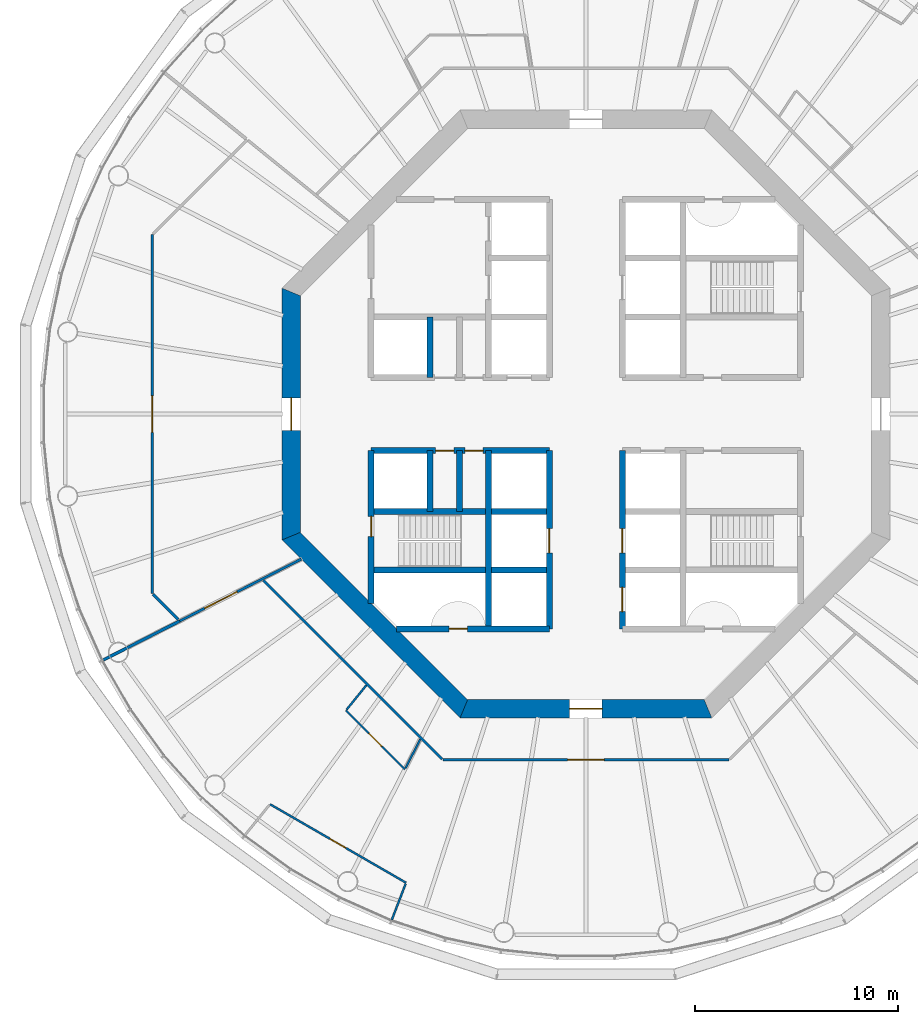
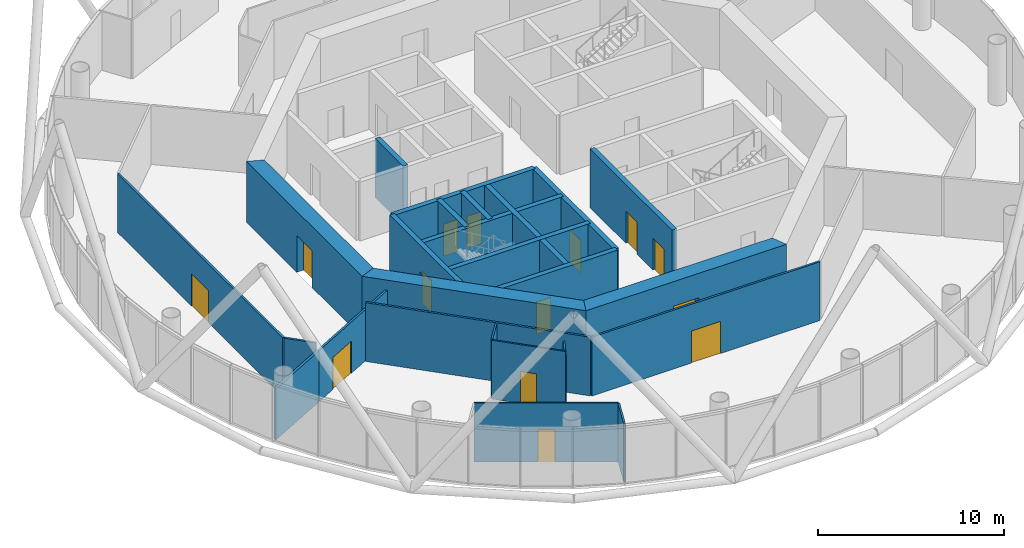
# One storey, part 3 of 12: 25 walls, 14 doors, 14 openings.
"""IFC4 building model written with IfcOpenShell, lengths in metres."""

from ifc_helpers import new_model, si_unit, direction, frame, frame_2d, origin, place, context, subcontext, project, spatial, polyline, rectangle, outline, extrude, material, layer, layer_set, type_object, element, fill, save


model = new_model("IFC4")

# Units and contexts
model_context = context("Model", 3, precision=1e-05, world=origin(), true_north=direction((0.0, 1.0)))
body_context = subcontext(model_context, "Body", "Model", "MODEL_VIEW")
ifc_project = project(units=[si_unit("LENGTHUNIT", "METRE"), si_unit("AREAUNIT", "SQUARE_METRE"), si_unit("VOLUMEUNIT", "CUBIC_METRE"), si_unit("PLANEANGLEUNIT", "RADIAN"), si_unit("MASSUNIT", "GRAM", prefix="KILO")], contexts=[model_context])

# Site, building, storey
site_placement = place(None, origin())
site = spatial("IfcSite", under=ifc_project, at=site_placement, CompositionType="ELEMENT")
building_placement = place(site_placement, origin())
building = spatial("IfcBuilding", under=site, at=building_placement, Name="Entoto Ring Tower", CompositionType="ELEMENT")
storey_placement = place(building_placement, frame((0.0, 0.0, 206.0)))
storey = spatial("IfcBuildingStorey", under=building, at=storey_placement, Name="L47", CompositionType="ELEMENT", Elevation=206.0)

# Wall, openings, doors
ifc_material_1 = material(Name="Concrete C40/50", Category="concrete")
ifc_layer_1 = layer(ifc_material_1, 0.300048828125)
ifc_layer_set_1 = layer_set([ifc_layer_1], Name="Concrete C40/50")
wall_type_1 = type_object("IfcWallType", Name="Core enclosure wall 300 mm reinforced concrete", PredefinedType="SOLIDWALL", material=ifc_layer_set_1)
wall_1_placement = place(storey_placement, frame((91.800048828125, 69.39990234375, 0.0), z_axis=(0.0, 0.0, 1.0), x_axis=(0.0, 1.0, 0.0)))
wall_1 = element("IfcWall", 1, at=wall_1_placement, inside=storey, type_object=wall_type_1, Name="wall-L47-005", PredefinedType="SOLIDWALL", context=body_context, shape_type="SweptSolid", body=[
    extrude(rectangle(XDim=8.800048828125, YDim=0.300048828125, at=frame_2d((4.39990234375, 0.0))), origin(), (0.0, 0.0, 1.0), 3.85009765625),
])
opening_1_placement = place(wall_1_placement, frame((3.75, 0.0, 0.0)))
opening_1 = element("IfcOpeningElement", 2, at=opening_1_placement, cuts=wall_1, Name="Opening LD", PredefinedType="OPENING", context=body_context, shape_type="SweptSolid", body=[
    extrude(rectangle(XDim=1.199951171875, YDim=2.10009765625, at=frame_2d((0.60009765625, 1.050048828125))), frame((0.0, 0.16015625, 0.0), z_axis=(0.0, -1.0, 0.0), x_axis=(1.0, 0.0, 0.0)), (0.0, 0.0, 1.0), 0.320068359375),
])
opening_2_placement = place(wall_1_placement, frame((0.85009765625, 0.0, 0.0)))
opening_2 = element("IfcOpeningElement", 3, at=opening_2_placement, cuts=wall_1, Name="Opening LD", PredefinedType="OPENING", context=body_context, shape_type="SweptSolid", body=[
    extrude(rectangle(XDim=1.199951171875, YDim=2.10009765625, at=frame_2d((0.60009765625, 1.050048828125))), frame((0.0, 0.16015625, 0.0), z_axis=(0.0, -1.0, 0.0), x_axis=(1.0, 0.0, 0.0)), (0.0, 0.0, 1.0), 0.320068359375),
])
ifc_material_2 = material(Name="Steel and glass door leaf", Category="steel")
ifc_layer_2 = layer(ifc_material_2, 0.050048828125)
ifc_layer_set_2 = layer_set([ifc_layer_2], Name="Steel and glass door leaf")
door_type_1 = type_object("IfcDoorType", Name="Landing door 1200 x 2100 sliding", OperationType="DOUBLE_DOOR_SLIDING", PredefinedType="DOOR", material=ifc_layer_set_2)
door_1_placement = place(opening_1_placement, origin())
door_1 = element("IfcDoor", 4, at=door_1_placement, inside=storey, type_object=door_type_1, Name="Landing door LB2-MR", OperationType="SLIDING_TO_RIGHT", OverallHeight=2.10009765625, OverallWidth=1.199951171875, PredefinedType="DOOR", context=body_context, shape_type="SweptSolid", body=[
    extrude(rectangle(XDim=1.199951171875, YDim=2.10009765625, at=frame_2d((0.60009765625, 1.050048828125))), frame((0.0, 0.02490234375, 0.0), z_axis=(0.0, -1.0, 0.0), x_axis=(1.0, 0.0, 0.0)), (0.0, 0.0, 1.0), 0.050048828125),
])
fill(opening_1, door_1)
door_2_placement = place(opening_2_placement, origin())
door_2 = element("IfcDoor", 5, at=door_2_placement, inside=storey, type_object=door_type_1, Name="Landing door LB3-MR", OperationType="SLIDING_TO_RIGHT", OverallHeight=2.10009765625, OverallWidth=1.199951171875, PredefinedType="DOOR", context=body_context, shape_type="SweptSolid", body=[
    extrude(rectangle(XDim=1.199951171875, YDim=2.10009765625, at=frame_2d((0.60009765625, 1.050048828125))), frame((0.0, 0.02490234375, 0.0), z_axis=(0.0, -1.0, 0.0), x_axis=(1.0, 0.0, 0.0)), (0.0, 0.0, 1.0), 0.050048828125),
])
fill(opening_2, door_2)

# Wall, opening, door
wall_2_placement = place(storey_placement, frame((88.199951171875, 69.39990234375, 0.0), z_axis=(0.0, 0.0, 1.0), x_axis=(0.0, 1.0, 0.0)))
wall_2 = element("IfcWall", 6, at=wall_2_placement, inside=storey, type_object=wall_type_1, Name="wall-L47-007", PredefinedType="SOLIDWALL", context=body_context, shape_type="SweptSolid", body=[
    extrude(rectangle(XDim=8.800048828125, YDim=0.300048828125, at=frame_2d((4.39990234375, 0.0))), origin(), (0.0, 0.0, 1.0), 3.85009765625),
])
opening_3_placement = place(wall_2_placement, frame((3.75, 0.0, 0.0)))
opening_3 = element("IfcOpeningElement", 7, at=opening_3_placement, cuts=wall_2, Name="Opening LD", PredefinedType="OPENING", context=body_context, shape_type="SweptSolid", body=[
    extrude(rectangle(XDim=1.199951171875, YDim=2.10009765625, at=frame_2d((0.60009765625, 1.050048828125))), frame((0.0, 0.16015625, 0.0), z_axis=(0.0, -1.0, 0.0), x_axis=(1.0, 0.0, 0.0)), (0.0, 0.0, 1.0), 0.320068359375),
])
door_3_placement = place(opening_3_placement, origin())
door_3 = element("IfcDoor", 8, at=door_3_placement, inside=storey, type_object=door_type_1, Name="Landing door LB4-MR", OperationType="SLIDING_TO_RIGHT", OverallHeight=2.10009765625, OverallWidth=1.199951171875, PredefinedType="DOOR", context=body_context, shape_type="SweptSolid", body=[
    extrude(rectangle(XDim=1.199951171875, YDim=2.10009765625, at=frame_2d((0.60009765625, 1.050048828125))), frame((0.0, 0.02490234375, 0.0), z_axis=(0.0, -1.0, 0.0), x_axis=(1.0, 0.0, 0.0)), (0.0, 0.0, 1.0), 0.050048828125),
])
fill(opening_3, door_3)

# Walls
wall_3_placement = place(storey_placement, frame((85.199951171875, 69.39990234375, 0.0), z_axis=(0.0, 0.0, 1.0), x_axis=(0.0, 1.0, 0.0)))
element("IfcWall", 9, at=wall_3_placement, inside=storey, type_object=wall_type_1, Name="wall-L47-009", PredefinedType="SOLIDWALL", context=body_context, shape_type="SweptSolid", body=[
    extrude(rectangle(XDim=8.800048828125, YDim=0.300048828125, at=frame_2d((4.39990234375, 0.0))), origin(), (0.0, 0.0, 1.0), 3.85009765625),
])
for number, where, z_axis, x_axis, name in (
    (10, (83.75, 75.199951171875, 0.0), (0.0, 0.0, 1.0), (0.0, 1.0, 0.0), "wall-L47-011"),
    (11, (82.300048828125, 75.199951171875, 0.0), (0.0, 0.0, 1.0), (0.0, 1.0, 0.0), "wall-L47-013"),
    (12, (82.300048828125, 81.800048828125, 0.0), (0.0, 0.0, 1.0), (0.0, 1.0, 0.0), "wall-L47-014"),
):
    element("IfcWall", number, at=place(storey_placement, frame(where, z_axis=z_axis, x_axis=x_axis)), inside=storey, type_object=wall_type_1, Name=name, PredefinedType="SOLIDWALL", context=body_context, shape_type="SweptSolid", body=[
        extrude(rectangle(XDim=3.0, YDim=0.300048828125, at=frame_2d((1.5, 0.0))), origin(), (0.0, 0.0, 1.0), 3.85009765625),
    ])

# Wall, opening, door
wall_4_placement = place(storey_placement, frame((79.39990234375, 70.65966796875, 0.0), z_axis=(0.0, 0.0, 1.0), x_axis=(0.0, 1.0, 0.0)))
wall_4 = element("IfcWall", 13, at=wall_4_placement, inside=storey, type_object=wall_type_1, Name="wall-L47-015", PredefinedType="SOLIDWALL", context=body_context, shape_type="SweptSolid", body=[
    extrude(rectangle(XDim=7.540283203125, YDim=0.300048828125, at=frame_2d((3.77001953125, 0.0))), origin(), (0.0, 0.0, 1.0), 3.85009765625),
])
opening_4_placement = place(wall_4_placement, frame((3.290283203125, 0.0, 0.0)))
opening_4 = element("IfcOpeningElement", 14, at=opening_4_placement, cuts=wall_4, Name="Opening K-59", PredefinedType="OPENING", context=body_context, shape_type="SweptSolid", body=[
    extrude(rectangle(XDim=1.0, YDim=2.10009765625, at=frame_2d((0.5, 1.050048828125))), frame((0.0, 0.16015625, 0.0), z_axis=(0.0, -1.0, 0.0), x_axis=(1.0, 0.0, 0.0)), (0.0, 0.0, 1.0), 0.320068359375),
])
ifc_material_3 = material(Name="Steel door leaf, fire rated", Category="steel")
ifc_layer_3 = layer(ifc_material_3, 0.050048828125)
ifc_layer_set_3 = layer_set([ifc_layer_3], Name="Steel door leaf, fire rated")
door_type_2 = type_object("IfcDoorType", Name="Fire door FD60 1000 x 2100 single leaf", OperationType="NOTDEFINED", PredefinedType="DOOR", material=ifc_layer_set_3)
door_4_placement = place(opening_4_placement, frame((1.0, 0.0, 0.0), z_axis=(0.0, 0.0, 1.0), x_axis=(-1.0, 0.0, 0.0)))
door_4 = element("IfcDoor", 15, at=door_4_placement, inside=storey, type_object=door_type_2, Name="Door K-59", OperationType="SINGLE_SWING_LEFT", OverallHeight=2.10009765625, OverallWidth=1.0, PredefinedType="DOOR", context=body_context, shape_type="SweptSolid", body=[
    extrude(rectangle(XDim=1.0, YDim=2.10009765625, at=frame_2d((0.5, 1.050048828125))), frame((0.0, 0.02490234375, 0.0), z_axis=(0.0, -1.0, 0.0), x_axis=(1.0, 0.0, 0.0)), (0.0, 0.0, 1.0), 0.050048828125),
])
fill(opening_4, door_4)

wall_5_placement = place(storey_placement, frame((80.65966796875, 69.39990234375, 0.0), z_axis=(0.0, 0.0, 1.0), x_axis=(1.0, 0.0, 0.0)))
wall_5 = element("IfcWall", 16, at=wall_5_placement, inside=storey, type_object=wall_type_1, Name="wall-L47-017", PredefinedType="SOLIDWALL", context=body_context, shape_type="SweptSolid", body=[
    extrude(rectangle(XDim=7.540283203125, YDim=0.300048828125, at=frame_2d((3.77001953125, 0.0))), origin(), (0.0, 0.0, 1.0), 3.85009765625),
])
opening_5_placement = place(wall_5_placement, frame((2.59033203125, 0.0, 0.0)))
opening_5 = element("IfcOpeningElement", 17, at=opening_5_placement, cuts=wall_5, Name="Opening K-66", PredefinedType="OPENING", context=body_context, shape_type="SweptSolid", body=[
    extrude(rectangle(XDim=0.89990234375, YDim=2.10009765625, at=frame_2d((0.449951171875, 1.050048828125))), frame((0.0, 0.16015625, 0.0), z_axis=(0.0, -1.0, 0.0), x_axis=(1.0, 0.0, 0.0)), (0.0, 0.0, 1.0), 0.320068359375),
])
ifc_material_4 = material(Name="Steel door leaf, fire rated", Category="steel")
ifc_layer_4 = layer(ifc_material_4, 0.050048828125)
ifc_layer_set_4 = layer_set([ifc_layer_4], Name="Steel door leaf, fire rated")
door_type_3 = type_object("IfcDoorType", Name="Riser door FD60 900 x 2100 single leaf", OperationType="NOTDEFINED", PredefinedType="DOOR", material=ifc_layer_set_4)
door_5_placement = place(opening_5_placement, origin())
door_5 = element("IfcDoor", 18, at=door_5_placement, inside=storey, type_object=door_type_3, Name="Door K-66", OperationType="SINGLE_SWING_RIGHT", OverallHeight=2.10009765625, OverallWidth=0.89990234375, PredefinedType="DOOR", context=body_context, shape_type="SweptSolid", body=[
    extrude(rectangle(XDim=0.89990234375, YDim=2.10009765625, at=frame_2d((0.449951171875, 1.050048828125))), frame((0.0, 0.02490234375, 0.0), z_axis=(0.0, -1.0, 0.0), x_axis=(1.0, 0.0, 0.0)), (0.0, 0.0, 1.0), 0.050048828125),
])
fill(opening_5, door_5)

# Walls
for number, where, z_axis, x_axis, name in (
    (19, (79.39990234375, 72.300048828125, 0.0), (0.0, 0.0, 1.0), (1.0, 0.0, 0.0), "wall-L47-019"),
    (20, (79.39990234375, 75.199951171875, 0.0), (0.0, 0.0, 1.0), (1.0, 0.0, 0.0), "wall-L47-021"),
):
    element("IfcWall", number, at=place(storey_placement, frame(where, z_axis=z_axis, x_axis=x_axis)), inside=storey, type_object=wall_type_1, Name=name, PredefinedType="SOLIDWALL", context=body_context, shape_type="SweptSolid", body=[
        extrude(rectangle(XDim=8.800048828125, YDim=0.300048828125, at=frame_2d((4.39990234375, 0.0))), origin(), (0.0, 0.0, 1.0), 3.85009765625),
    ])

# Wall, openings, doors
wall_6_placement = place(storey_placement, frame((79.39990234375, 78.199951171875, 0.0), z_axis=(0.0, 0.0, 1.0), x_axis=(1.0, 0.0, 0.0)))
wall_6 = element("IfcWall", 21, at=wall_6_placement, inside=storey, type_object=wall_type_1, Name="wall-L47-023", PredefinedType="SOLIDWALL", context=body_context, shape_type="SweptSolid", body=[
    extrude(rectangle(XDim=8.800048828125, YDim=0.300048828125, at=frame_2d((4.39990234375, 0.0))), origin(), (0.0, 0.0, 1.0), 3.85009765625),
])
opening_6_placement = place(wall_6_placement, frame((3.175048828125, 0.0, 0.0)))
opening_6 = element("IfcOpeningElement", 22, at=opening_6_placement, cuts=wall_6, Name="Opening K-15", PredefinedType="OPENING", context=body_context, shape_type="SweptSolid", body=[
    extrude(rectangle(XDim=0.89990234375, YDim=2.10009765625, at=frame_2d((0.449951171875, 1.050048828125))), frame((0.0, 0.16015625, 0.0), z_axis=(0.0, -1.0, 0.0), x_axis=(1.0, 0.0, 0.0)), (0.0, 0.0, 1.0), 0.320068359375),
])
opening_7_placement = place(wall_6_placement, frame((4.625, 0.0, 0.0)))
opening_7 = element("IfcOpeningElement", 23, at=opening_7_placement, cuts=wall_6, Name="Opening K-16", PredefinedType="OPENING", context=body_context, shape_type="SweptSolid", body=[
    extrude(rectangle(XDim=0.89990234375, YDim=2.10009765625, at=frame_2d((0.449951171875, 1.050048828125))), frame((0.0, 0.16015625, 0.0), z_axis=(0.0, -1.0, 0.0), x_axis=(1.0, 0.0, 0.0)), (0.0, 0.0, 1.0), 0.320068359375),
])
ifc_material_5 = material(Name="Steel door leaf, fire rated", Category="steel")
ifc_layer_5 = layer(ifc_material_5, 0.050048828125)
ifc_layer_set_5 = layer_set([ifc_layer_5], Name="Steel door leaf, fire rated")
door_type_4 = type_object("IfcDoorType", Name="Core door 900 x 2100 single leaf", OperationType="NOTDEFINED", PredefinedType="DOOR", material=ifc_layer_set_5)
door_6_placement = place(opening_6_placement, frame((0.89990234375, 0.0, 0.0), z_axis=(0.0, 0.0, 1.0), x_axis=(-1.0, 0.0, 0.0)))
door_6 = element("IfcDoor", 24, at=door_6_placement, inside=storey, type_object=door_type_4, Name="Door K-15", OperationType="SINGLE_SWING_LEFT", OverallHeight=2.10009765625, OverallWidth=0.89990234375, PredefinedType="DOOR", context=body_context, shape_type="SweptSolid", body=[
    extrude(rectangle(XDim=0.89990234375, YDim=2.10009765625, at=frame_2d((0.449951171875, 1.050048828125))), frame((0.0, 0.02490234375, 0.0), z_axis=(0.0, -1.0, 0.0), x_axis=(1.0, 0.0, 0.0)), (0.0, 0.0, 1.0), 0.050048828125),
])
fill(opening_6, door_6)
door_7_placement = place(opening_7_placement, frame((0.89990234375, 0.0, 0.0), z_axis=(0.0, 0.0, 1.0), x_axis=(-1.0, 0.0, 0.0)))
door_7 = element("IfcDoor", 25, at=door_7_placement, inside=storey, type_object=door_type_4, Name="Door K-16", OperationType="SINGLE_SWING_LEFT", OverallHeight=2.10009765625, OverallWidth=0.89990234375, PredefinedType="DOOR", context=body_context, shape_type="SweptSolid", body=[
    extrude(rectangle(XDim=0.89990234375, YDim=2.10009765625, at=frame_2d((0.449951171875, 1.050048828125))), frame((0.0, 0.02490234375, 0.0), z_axis=(0.0, -1.0, 0.0), x_axis=(1.0, 0.0, 0.0)), (0.0, 0.0, 1.0), 0.050048828125),
])
fill(opening_7, door_7)

# Wall, opening, door
ifc_material_6 = material(Name="Concrete C50/60", Category="concrete")
ifc_layer_6 = layer(ifc_material_6, 0.89990234375)
ifc_layer_set_6 = layer_set([ifc_layer_6], Name="Concrete C50/60")
wall_type_2 = type_object("IfcWallType", Name="Core shear wall 900 mm reinforced concrete C50/60", PredefinedType="SHEAR", material=ifc_layer_set_6)
wall_7_placement = place(storey_placement, frame((75.449951171875, 86.02685546875, 0.0), z_axis=(0.0, 0.0, 1.0), x_axis=(0.0, -1.0, 0.0)))
wall_7 = element("IfcWall", 26, at=wall_7_placement, inside=storey, type_object=wall_type_2, Name="wall-L47-core-4", PredefinedType="SHEAR", context=body_context, shape_type="SweptSolid", body=[
    extrude(outline(polyline([(-0.186279296875, -0.449951171875), (12.239990234375, -0.449951171875), (11.867431640625, 0.449951171875), (0.186279296875, 0.449951171875), (-0.186279296875, -0.449951171875)])), origin(), (0.0, 0.0, 1.0), 4.0),
])
opening_8_placement = place(wall_7_placement, frame((5.226806640625, 0.0, 0.0)))
opening_8 = element("IfcOpeningElement", 27, at=opening_8_placement, cuts=wall_7, Name="Opening K-03", PredefinedType="OPENING", context=body_context, shape_type="SweptSolid", body=[
    extrude(rectangle(XDim=1.60009765625, YDim=2.39990234375, at=frame_2d((0.800048828125, 1.199951171875))), frame((0.0, 0.4599609375, 0.0), z_axis=(0.0, -1.0, 0.0), x_axis=(1.0, 0.0, 0.0)), (0.0, 0.0, 1.0), 0.919921875),
])
ifc_material_7 = material(Name="Steel door leaf, fire rated", Category="steel")
ifc_layer_7 = layer(ifc_material_7, 0.050048828125)
ifc_layer_set_7 = layer_set([ifc_layer_7], Name="Steel door leaf, fire rated")
door_type_5 = type_object("IfcDoorType", Name="Entrance door FD60 1600 x 2400 double leaf", OperationType="DOUBLE_DOOR_SINGLE_SWING", PredefinedType="DOOR", material=ifc_layer_set_7)
door_8_placement = place(opening_8_placement, origin())
door_8 = element("IfcDoor", 28, at=door_8_placement, inside=storey, type_object=door_type_5, Name="Entrance door K-03", OperationType="DOUBLE_DOOR_SINGLE_SWING", OverallHeight=2.39990234375, OverallWidth=1.60009765625, PredefinedType="DOOR", context=body_context, shape_type="SweptSolid", body=[
    extrude(rectangle(XDim=1.60009765625, YDim=2.39990234375, at=frame_2d((0.800048828125, 1.199951171875))), frame((0.0, 0.02490234375, 0.0), z_axis=(0.0, -1.0, 0.0), x_axis=(1.0, 0.0, 0.0)), (0.0, 0.0, 1.0), 0.050048828125),
])
fill(opening_8, door_8)

# Wall
wall_8_placement = place(storey_placement, frame((75.449951171875, 73.97314453125, 0.0), z_axis=(0.0, 0.0, 1.0), x_axis=(0.707106781187, -0.707106781187, 0.0)))
element("IfcWall", 29, at=wall_8_placement, inside=storey, type_object=wall_type_2, Name="wall-L47-core-5", PredefinedType="SHEAR", context=body_context, shape_type="SweptSolid", body=[
    extrude(outline(polyline([(-0.186279296875, -0.449951171875), (12.239990234375, -0.449951171875), (11.867431640625, 0.449951171875), (0.186279296875, 0.449951171875), (-0.186279296875, -0.449951171875)])), origin(), (0.0, 0.0, 1.0), 4.0),
])

# Wall, opening, door
wall_9_placement = place(storey_placement, frame((83.97314453125, 65.449951171875, 0.0), z_axis=(0.0, 0.0, 1.0), x_axis=(1.0, 0.0, 0.0)))
wall_9 = element("IfcWall", 30, at=wall_9_placement, inside=storey, type_object=wall_type_2, Name="wall-L47-core-6", PredefinedType="SHEAR", context=body_context, shape_type="SweptSolid", body=[
    extrude(outline(polyline([(-0.186279296875, -0.449951171875), (12.239990234375, -0.449951171875), (11.867431640625, 0.449951171875), (0.186279296875, 0.449951171875), (-0.186279296875, -0.449951171875)])), origin(), (0.0, 0.0, 1.0), 4.0),
])
opening_9_placement = place(wall_9_placement, frame((5.226806640625, 0.0, 0.0)))
opening_9 = element("IfcOpeningElement", 31, at=opening_9_placement, cuts=wall_9, Name="Opening K-04", PredefinedType="OPENING", context=body_context, shape_type="SweptSolid", body=[
    extrude(rectangle(XDim=1.60009765625, YDim=2.39990234375, at=frame_2d((0.800048828125, 1.199951171875))), frame((0.0, 0.4599609375, 0.0), z_axis=(0.0, -1.0, 0.0), x_axis=(1.0, 0.0, 0.0)), (0.0, 0.0, 1.0), 0.919921875),
])
door_9_placement = place(opening_9_placement, origin())
door_9 = element("IfcDoor", 32, at=door_9_placement, inside=storey, type_object=door_type_5, Name="Entrance door K-04", OperationType="DOUBLE_DOOR_SINGLE_SWING", OverallHeight=2.39990234375, OverallWidth=1.60009765625, PredefinedType="DOOR", context=body_context, shape_type="SweptSolid", body=[
    extrude(rectangle(XDim=1.60009765625, YDim=2.39990234375, at=frame_2d((0.800048828125, 1.199951171875))), frame((0.0, 0.02490234375, 0.0), z_axis=(0.0, -1.0, 0.0), x_axis=(1.0, 0.0, 0.0)), (0.0, 0.0, 1.0), 0.050048828125),
])
fill(opening_9, door_9)

ifc_material_8 = material(Name="Fire-resisting plasterboard on steel studs", Category="steel")
ifc_layer_8 = layer(ifc_material_8, 0.125)
ifc_layer_set_8 = layer_set([ifc_layer_8], Name="Fire-resisting plasterboard on steel studs")
wall_type_3 = type_object("IfcWallType", Name="Corridor wall 125 mm one-hour plasterboard on steel studs", PredefinedType="PARTITIONING", material=ifc_layer_set_8)
wall_10_placement = place(storey_placement, frame((68.60009765625, 71.1357421875, 0.0), z_axis=(0.0, 0.0, 1.0), x_axis=(0.0, 1.0, 0.0)))
wall_10 = element("IfcWall", 33, at=wall_10_placement, inside=storey, type_object=wall_type_3, Name="partition-L47-001", PredefinedType="PARTITIONING", context=body_context, shape_type="SweptSolid", body=[
    extrude(rectangle(XDim=17.728515625, YDim=0.125, at=frame_2d((8.8642578125, 0.0))), origin(), (0.0, 0.0, 1.0), 3.85009765625),
])
opening_10_placement = place(wall_10_placement, frame((7.964111328125, 0.0, 0.0)))
opening_10 = element("IfcOpeningElement", 34, at=opening_10_placement, cuts=wall_10, Name="Opening A21-D02", PredefinedType="OPENING", context=body_context, shape_type="SweptSolid", body=[
    extrude(rectangle(XDim=1.800048828125, YDim=2.10009765625, at=frame_2d((0.89990234375, 1.050048828125))), frame((0.0, 0.072509765625, 0.0), z_axis=(0.0, -1.0, 0.0), x_axis=(1.0, 0.0, 0.0)), (0.0, 0.0, 1.0), 0.14501953125),
])
ifc_material_9 = material(Name="Fire-resisting timber door set", Category="wood")
door_type_6 = type_object("IfcDoorType", Name="Door 1800 x 2100 double leaf FD30S fire door", OperationType="DOUBLE_DOOR_SINGLE_SWING", PredefinedType="DOOR", material=ifc_material_9)
door_10_placement = place(opening_10_placement, origin())
door_10 = element("IfcDoor", 35, at=door_10_placement, inside=storey, type_object=door_type_6, Name="Door A21-D02", OperationType="DOUBLE_DOOR_SINGLE_SWING", OverallHeight=2.10009765625, OverallWidth=1.800048828125, PredefinedType="DOOR", context=body_context, shape_type="SweptSolid", body=[
    extrude(rectangle(XDim=1.800048828125, YDim=2.10009765625, at=frame_2d((0.89990234375, 1.050048828125))), frame((0.0, 0.02490234375, 0.0), z_axis=(0.0, -1.0, 0.0), x_axis=(1.0, 0.0, 0.0)), (0.0, 0.0, 1.0), 0.050048828125),
])
fill(opening_10, door_10)

wall_11_placement = place(storey_placement, frame((82.9326171875, 62.9375, 0.0), z_axis=(0.0, 0.0, 1.0), x_axis=(1.0, 0.0, 0.0)))
wall_11 = element("IfcWall", 36, at=wall_11_placement, inside=storey, type_object=wall_type_3, Name="partition-L47-003", PredefinedType="PARTITIONING", context=body_context, shape_type="SweptSolid", body=[
    extrude(rectangle(XDim=14.134765625, YDim=0.125, at=frame_2d((7.0673828125, 0.0))), origin(), (0.0, 0.0, 1.0), 3.85009765625),
])
opening_11_placement = place(wall_11_placement, frame((6.16748046875, 0.0, 0.0)))
opening_11 = element("IfcOpeningElement", 37, at=opening_11_placement, cuts=wall_11, Name="Opening A21-D09", PredefinedType="OPENING", context=body_context, shape_type="SweptSolid", body=[
    extrude(rectangle(XDim=1.800048828125, YDim=2.10009765625, at=frame_2d((0.89990234375, 1.050048828125))), frame((0.0, 0.072509765625, 0.0), z_axis=(0.0, -1.0, 0.0), x_axis=(1.0, 0.0, 0.0)), (0.0, 0.0, 1.0), 0.14501953125),
])
door_11_placement = place(opening_11_placement, frame((1.800048828125, 0.0, 0.0), z_axis=(0.0, 0.0, 1.0), x_axis=(-1.0, 0.0, 0.0)))
door_11 = element("IfcDoor", 38, at=door_11_placement, inside=storey, type_object=door_type_6, Name="Door A21-D09", OperationType="DOUBLE_DOOR_SINGLE_SWING", OverallHeight=2.10009765625, OverallWidth=1.800048828125, PredefinedType="DOOR", context=body_context, shape_type="SweptSolid", body=[
    extrude(rectangle(XDim=1.800048828125, YDim=2.10009765625, at=frame_2d((0.89990234375, 1.050048828125))), frame((0.0, 0.02490234375, 0.0), z_axis=(0.0, -1.0, 0.0), x_axis=(1.0, 0.0, 0.0)), (0.0, 0.0, 1.0), 0.050048828125),
])
fill(opening_11, door_11)

# Walls
wall_12_placement = place(storey_placement, frame((82.9013671875, 62.968505859375, 0.0), z_axis=(0.0, 0.0, 1.0), x_axis=(-0.707106781187, 0.707106781187, 0.0)))
element("IfcWall", 39, at=wall_12_placement, inside=storey, type_object=wall_type_3, Name="partition-L47-006", PredefinedType="PARTITIONING", context=body_context, shape_type="SweptSolid", body=[
    extrude(rectangle(XDim=12.481689453125, YDim=0.125, at=frame_2d((6.24072265625, 0.0))), origin(), (0.0, 0.0, 1.0), 3.85009765625),
])
wall_13_placement = place(storey_placement, frame((69.881103515625, 69.8544921875, 0.0), z_axis=(0.0, 0.0, 1.0), x_axis=(-0.707037731162, 0.707175824469, 0.0)))
element("IfcWall", 40, at=wall_13_placement, inside=storey, type_object=wall_type_3, Name="partition-L47-015", PredefinedType="PARTITIONING", context=body_context, shape_type="SweptSolid", body=[
    extrude(rectangle(XDim=1.767822265625, YDim=0.125, at=frame_2d((0.8837890625, 0.0))), origin(), (0.0, 0.0, 1.0), 3.85009765625),
])

# Wall, opening, door
ifc_material_10 = material(Name="Fire-resisting plasterboard on steel studs", Category="steel")
ifc_layer_9 = layer(ifc_material_10, 0.125)
ifc_layer_set_9 = layer_set([ifc_layer_9], Name="Fire-resisting plasterboard on steel studs")
wall_type_4 = type_object("IfcWallType", Name="Corridor wall 125 mm one-hour plasterboard on steel studs, 3350 mm high", PredefinedType="PARTITIONING", material=ifc_layer_set_9)
wall_14_placement = place(storey_placement, frame((69.951171875, 69.78466796875, 0.0), z_axis=(0.0, 0.0, 1.0), x_axis=(0.891012915606, 0.453977955657, 0.0)))
wall_14 = element("IfcWall", 41, at=wall_14_placement, inside=storey, type_object=wall_type_4, Name="partition-L47-010", PredefinedType="PARTITIONING", context=body_context, shape_type="SweptSolid", body=[
    extrude(rectangle(XDim=6.729248046875, YDim=0.125, at=frame_2d((3.36474609375, 0.0))), origin(), (0.0, 0.0, 1.0), 3.35009765625),
])
opening_12_placement = place(wall_14_placement, frame((1.38037109375, 0.0, 0.0)))
opening_12 = element("IfcOpeningElement", 42, at=opening_12_placement, cuts=wall_14, Name="Opening A21-D10", PredefinedType="OPENING", context=body_context, shape_type="SweptSolid", body=[
    extrude(rectangle(XDim=1.800048828125, YDim=2.10009765625, at=frame_2d((0.89990234375, 1.050048828125))), frame((0.0, 0.072509765625, 0.0), z_axis=(0.0, -1.0, 0.0), x_axis=(1.0, 0.0, 0.0)), (0.0, 0.0, 1.0), 0.14501953125),
])
door_12_placement = place(opening_12_placement, frame((1.800048828125, 0.0, 0.0), z_axis=(0.0, 0.0, 1.0), x_axis=(-1.0, 0.0, 0.0)))
door_12 = element("IfcDoor", 43, at=door_12_placement, inside=storey, type_object=door_type_6, Name="Door A21-D10", OperationType="DOUBLE_DOOR_SINGLE_SWING", OverallHeight=2.10009765625, OverallWidth=1.800048828125, PredefinedType="DOOR", context=body_context, shape_type="SweptSolid", body=[
    extrude(rectangle(XDim=1.800048828125, YDim=2.10009765625, at=frame_2d((0.89990234375, 1.050048828125))), frame((0.0, 0.02490234375, 0.0), z_axis=(0.0, -1.0, 0.0), x_axis=(1.0, 0.0, 0.0)), (0.0, 0.0, 1.0), 0.050048828125),
])
fill(opening_12, door_12)

ifc_material_11 = material(Name="Plasterboard on steel studs", Category="steel")
ifc_layer_10 = layer(ifc_material_11, 0.10009765625)
ifc_layer_set_10 = layer_set([ifc_layer_10], Name="Plasterboard on steel studs")
wall_type_5 = type_object("IfcWallType", Name="Partition 100 mm plasterboard on steel studs", PredefinedType="PARTITIONING", material=ifc_layer_set_10)
wall_15_placement = place(storey_placement, frame((81.11962890625, 56.865966796875, 0.0), z_axis=(0.0, 0.0, 1.0), x_axis=(-0.866035081828, 0.499983236762, 0.0)))
wall_15 = element("IfcWall", 44, at=wall_15_placement, inside=storey, type_object=wall_type_5, Name="partition-L47-023", PredefinedType="PARTITIONING", context=body_context, shape_type="SweptSolid", body=[
    extrude(rectangle(XDim=7.752685546875, YDim=0.10009765625, at=frame_2d((3.87646484375, 0.0))), origin(), (0.0, 0.0, 1.0), 3.85009765625),
])
opening_13_placement = place(wall_15_placement, frame((3.426513671875, 0.0, 0.0)))
opening_13 = element("IfcOpeningElement", 45, at=opening_13_placement, cuts=wall_15, Name="Opening A21-D12", PredefinedType="OPENING", context=body_context, shape_type="SweptSolid", body=[
    extrude(rectangle(XDim=0.89990234375, YDim=2.10009765625, at=frame_2d((0.449951171875, 1.050048828125))), frame((0.0, 0.06005859375, 0.0), z_axis=(0.0, -1.0, 0.0), x_axis=(1.0, 0.0, 0.0)), (0.0, 0.0, 1.0), 0.1201171875),
])
ifc_material_12 = material(Name="Veneered timber door leaf in timber frame", Category="wood")
door_type_7 = type_object("IfcDoorType", Name="Door 900 x 2100 single leaf timber veneer", OperationType="NOTDEFINED", PredefinedType="DOOR", material=ifc_material_12)
door_13_placement = place(opening_13_placement, origin())
door_13 = element("IfcDoor", 46, at=door_13_placement, inside=storey, type_object=door_type_7, Name="Door A21-D12", OperationType="SINGLE_SWING_RIGHT", OverallHeight=2.10009765625, OverallWidth=0.89990234375, PredefinedType="DOOR", context=body_context, shape_type="SweptSolid", body=[
    extrude(rectangle(XDim=0.89990234375, YDim=2.10009765625, at=frame_2d((0.449951171875, 1.050048828125))), frame((0.0, 0.02490234375, 0.0), z_axis=(0.0, -1.0, 0.0), x_axis=(1.0, 0.0, 0.0)), (0.0, 0.0, 1.0), 0.050048828125),
])
fill(opening_13, door_13)

wall_16_placement = place(storey_placement, frame((81.062744140625, 62.459716796875, 0.0), z_axis=(0.0, 0.0, 1.0), x_axis=(-0.707136442328, 0.707077118801, 0.0)))
wall_16 = element("IfcWall", 47, at=wall_16_placement, inside=storey, type_object=wall_type_5, Name="partition-L47-026", PredefinedType="PARTITIONING", context=body_context, shape_type="SweptSolid", body=[
    extrude(rectangle(XDim=4.115478515625, YDim=0.10009765625, at=frame_2d((2.0576171875, 0.0))), origin(), (0.0, 0.0, 1.0), 3.85009765625),
])
opening_14_placement = place(wall_16_placement, frame((1.607666015625, 0.0, 0.0)))
opening_14 = element("IfcOpeningElement", 48, at=opening_14_placement, cuts=wall_16, Name="Opening A21-D11", PredefinedType="OPENING", context=body_context, shape_type="SweptSolid", body=[
    extrude(rectangle(XDim=0.89990234375, YDim=2.10009765625, at=frame_2d((0.449951171875, 1.050048828125))), frame((0.0, 0.06005859375, 0.0), z_axis=(0.0, -1.0, 0.0), x_axis=(1.0, 0.0, 0.0)), (0.0, 0.0, 1.0), 0.1201171875),
])
door_14_placement = place(opening_14_placement, frame((0.89990234375, 0.0, 0.0), z_axis=(0.0, 0.0, 1.0), x_axis=(-1.0, 0.0, 0.0)))
door_14 = element("IfcDoor", 49, at=door_14_placement, inside=storey, type_object=door_type_7, Name="Door A21-D11", OperationType="SINGLE_SWING_RIGHT", OverallHeight=2.10009765625, OverallWidth=0.89990234375, PredefinedType="DOOR", context=body_context, shape_type="SweptSolid", body=[
    extrude(rectangle(XDim=0.89990234375, YDim=2.10009765625, at=frame_2d((0.449951171875, 1.050048828125))), frame((0.0, 0.02490234375, 0.0), z_axis=(0.0, -1.0, 0.0), x_axis=(1.0, 0.0, 0.0)), (0.0, 0.0, 1.0), 0.050048828125),
])
fill(opening_14, door_14)

# Walls
wall_17_placement = place(storey_placement, frame((80.417236328125, 55.0361328125, 0.0), z_axis=(0.0, 0.0, 1.0), x_axis=(0.358422448659, 0.933559504422, 0.0)))
element("IfcWall", 50, at=wall_17_placement, inside=storey, type_object=wall_type_5, Name="partition-L47-030", PredefinedType="PARTITIONING", context=body_context, shape_type="SweptSolid", body=[
    extrude(rectangle(XDim=1.91064453125, YDim=0.10009765625, at=frame_2d((0.955322265625, 0.0))), origin(), (0.0, 0.0, 1.0), 3.85009765625),
])
wall_18_placement = place(storey_placement, frame((78.183837890625, 65.408203125, 0.0), z_axis=(0.0, 0.0, 1.0), x_axis=(0.629270653269, 0.777186235683, 0.0)))
element("IfcWall", 51, at=wall_18_placement, inside=storey, type_object=wall_type_5, Name="partition-L47-037", PredefinedType="PARTITIONING", context=body_context, shape_type="SweptSolid", body=[
    extrude(rectangle(XDim=1.551513671875, YDim=0.10009765625, at=frame_2d((0.77587890625, 0.0))), origin(), (0.0, 0.0, 1.0), 3.85009765625),
])
ifc_material_13 = material(Name="Plasterboard on steel studs", Category="steel")
ifc_layer_11 = layer(ifc_material_13, 0.10009765625)
ifc_layer_set_11 = layer_set([ifc_layer_11], Name="Plasterboard on steel studs")
wall_type_6 = type_object("IfcWallType", Name="Partition 100 mm plasterboard on steel studs, 3350 mm high", PredefinedType="PARTITIONING", material=ifc_layer_set_11)
wall_19_placement = place(storey_placement, frame((81.093994140625, 62.520751953125, 0.0), z_axis=(0.0, 0.0, 1.0), x_axis=(0.453996862269, 0.891003282289, 0.0)))
element("IfcWall", 52, at=wall_19_placement, inside=storey, type_object=wall_type_6, Name="partition-L47-034", PredefinedType="PARTITIONING", context=body_context, shape_type="SweptSolid", body=[
    extrude(rectangle(XDim=1.594970703125, YDim=0.10009765625, at=frame_2d((0.79736328125, 0.0))), origin(), (0.0, 0.0, 1.0), 3.35009765625),
])
ifc_material_14 = material(Name="Fire-resisting acoustic plasterboard on steel studs", Category="steel")
ifc_layer_12 = layer(ifc_material_14, 0.14990234375)
ifc_layer_set_12 = layer_set([ifc_layer_12], Name="Fire-resisting acoustic plasterboard on steel studs")
wall_type_7 = type_object("IfcWallType", Name="Party wall 150 mm one-hour acoustic plasterboard on steel studs, 3350 mm high", PredefinedType="PARTITIONING", material=ifc_layer_set_12)
wall_20_placement = place(storey_placement, frame((66.174560546875, 67.8603515625, 0.0), z_axis=(0.0, 0.0, 1.0), x_axis=(0.891003010106, 0.453997396448, 0.0)))
element("IfcWall", 53, at=wall_20_placement, inside=storey, type_object=wall_type_7, Name="partition-L47-020", PredefinedType="PARTITIONING", context=body_context, shape_type="SweptSolid", body=[
    extrude(rectangle(XDim=4.238525390625, YDim=0.14990234375, at=frame_2d((2.119140625, 0.0))), origin(), (0.0, 0.0, 1.0), 3.35009765625),
])

save(model, "model.ifc")
